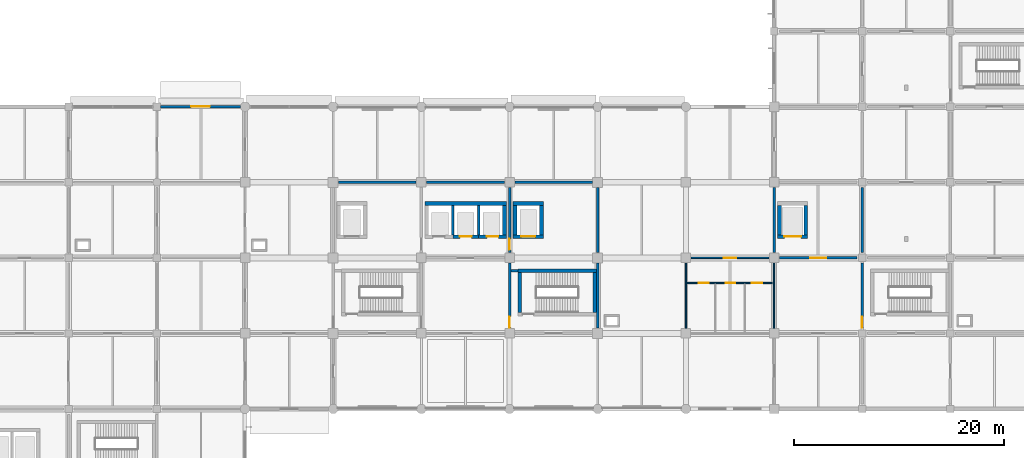
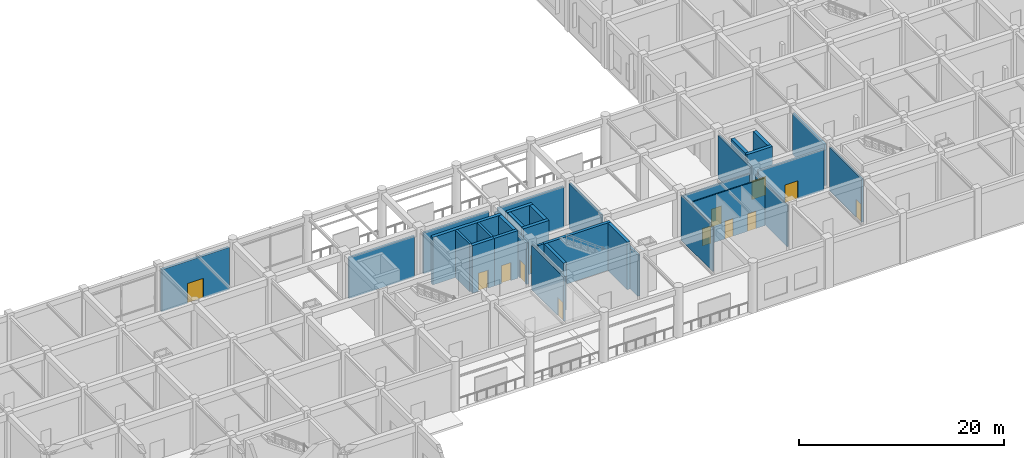
# One storey, part 21 of 39: 33 walls, 13 doors, 13 openings.
"""IFC4 building model written with IfcOpenShell, lengths in metres."""

from ifc_helpers import new_model, si_unit, derived_unit, direction, frame, frame_2d, origin, place, context, subcontext, project, spatial, rectangle, extrude, material, layer, layer_set, type_object, element, fill, save


model = new_model("IFC4")

# Units and contexts
model_context = context("Model", 3, precision=1e-05, world=origin(), true_north=direction((0.0, 1.0)))
body_context = subcontext(model_context, "Body", "Model", "MODEL_VIEW")
ifc_project = project(units=[si_unit("LENGTHUNIT", "METRE"), si_unit("AREAUNIT", "SQUARE_METRE"), si_unit("VOLUMEUNIT", "CUBIC_METRE"), si_unit("PLANEANGLEUNIT", "RADIAN"), si_unit("MASSUNIT", "GRAM", prefix="KILO"), derived_unit("THERMALTRANSMITTANCEUNIT", [(si_unit("MASSUNIT", "GRAM", prefix="KILO"), 1), (si_unit("TIMEUNIT", "SECOND"), -3), (si_unit("THERMODYNAMICTEMPERATUREUNIT", "KELVIN"), -1)])], contexts=[model_context])

# Site, building, storey
site_placement = place(None, origin())
site = spatial("IfcSite", under=ifc_project, at=site_placement, CompositionType="ELEMENT")
building_placement = place(site_placement, origin())
building = spatial("IfcBuilding", under=site, at=building_placement, Name="Veldstrom Oceanarium and Marine Research Institute", CompositionType="ELEMENT")
storey_placement = place(building_placement, origin())
storey = spatial("IfcBuildingStorey", under=building, at=storey_placement, Name="L00", CompositionType="ELEMENT", Elevation=0.0)

# Wall, opening, door
ifc_material_1 = material(Name="Masonry Cavity Wall", Category="masonry")
ifc_layer_1 = layer(ifc_material_1, 0.25)
ifc_layer_set_1 = layer_set([ifc_layer_1], Name="ARC-WAL-EW5")
wall_type_1 = type_object("IfcWallType", Name="ARC-WAL-EW5", PredefinedType="SOLIDWALL", material=ifc_layer_set_1)
wall_1_placement = place(storey_placement, frame((59.14990234375, 72.0, 0.0), z_axis=(0.0, 0.0, 1.0), x_axis=(1.0, 0.0, 0.0)))
wall_1 = element("IfcWall", 1, at=wall_1_placement, inside=storey, type_object=wall_type_1, Name="Exterior Facade Wall EW5 L00-031", PredefinedType="SOLIDWALL", context=body_context, shape_type="SweptSolid", body=[
    extrude(rectangle(XDim=7.60009765625, YDim=0.25, at=frame_2d((3.800048828125, 0.0))), origin(), (0.0, 0.0, 1.0), 5.02001953125),
])
opening_1_placement = place(wall_1_placement, frame((2.89990234375, 0.0, 0.0)))
opening_1 = element("IfcOpeningElement", 2, at=opening_1_placement, cuts=wall_1, Name="Opening D-L00-012", PredefinedType="OPENING", context=body_context, shape_type="SweptSolid", body=[
    extrude(rectangle(XDim=1.800048828125, YDim=2.35009765625, at=frame_2d((0.89990234375, 1.175048828125))), frame((0.0, 0.135009765625, 0.0), z_axis=(0.0, -1.0, 0.0), x_axis=(1.0, 0.0, 0.0)), (0.0, 0.0, 1.0), 0.27001953125),
])
ifc_material_2 = material(Name="Anodised Aluminium Glazed Door", Category="aluminium")
door_type_1 = type_object("IfcDoorType", Name="ARC-DOR-ED2", OperationType="DOUBLE_DOOR_SINGLE_SWING", PredefinedType="DOOR", material=ifc_material_2)
door_1_placement = place(opening_1_placement, origin())
door_1 = element("IfcDoor", 3, at=door_1_placement, inside=storey, type_object=door_type_1, Name="Street Entrance / Exit Door D-L00-012", OperationType="DOUBLE_DOOR_SINGLE_SWING", OverallHeight=2.35009765625, OverallWidth=1.800048828125, PredefinedType="DOOR", context=body_context, shape_type="SweptSolid", body=[
    extrude(rectangle(XDim=1.800048828125, YDim=2.35009765625, at=frame_2d((0.89990234375, 1.175048828125))), frame((0.0, 0.02490234375, 0.0), z_axis=(0.0, -1.0, 0.0), x_axis=(1.0, 0.0, 0.0)), (0.0, 0.0, 1.0), 0.050048828125),
])
fill(opening_1, door_1)

# Wall
ifc_material_3 = material(Name="Masonry Fire Compartment Wall", Category="masonry")
ifc_layer_2 = layer(ifc_material_3, 0.22998046875)
ifc_layer_set_2 = layer_set([ifc_layer_2], Name="ARC-WAL-PT1")
wall_type_2 = type_object("IfcWallType", Name="ARC-WAL-PT1", PredefinedType="PARTITIONING", material=ifc_layer_set_2)
wall_2_placement = place(storey_placement, frame((76.10009765625, 64.800048828125, 0.0), z_axis=(0.0, 0.0, 1.0), x_axis=(1.0, 0.0, 0.0)))
element("IfcWall", 4, at=wall_2_placement, inside=storey, type_object=wall_type_2, Name="Interior Partition PT1 L00-0706", PredefinedType="PARTITIONING", context=body_context, shape_type="SweptSolid", body=[
    extrude(rectangle(XDim=7.39990234375, YDim=0.22998046875, at=frame_2d((3.699951171875, 0.0))), origin(), (0.0, 0.0, 1.0), 4.8701171875),
])

# Wall, opening, door
wall_3_placement = place(storey_placement, frame((92.39990234375, 50.89990234375, 0.0), z_axis=(0.0, 0.0, 1.0), x_axis=(0.0, 1.0, 0.0)))
wall_3 = element("IfcWall", 5, at=wall_3_placement, inside=storey, type_object=wall_type_2, Name="Interior Partition PT1 L00-0708", PredefinedType="PARTITIONING", context=body_context, shape_type="SweptSolid", body=[
    extrude(rectangle(XDim=6.2001953125, YDim=0.22998046875, at=frame_2d((3.10009765625, 0.0))), origin(), (0.0, 0.0, 1.0), 5.27001953125),
])
opening_2_placement = place(wall_3_placement, frame((0.050048828125, 0.0, 0.0)))
opening_2 = element("IfcOpeningElement", 6, at=opening_2_placement, cuts=wall_3, Name="Opening D-L00-412", PredefinedType="OPENING", context=body_context, shape_type="SweptSolid", body=[
    extrude(rectangle(XDim=1.050048828125, YDim=2.14990234375, at=frame_2d((0.52490234375, 1.074951171875))), frame((0.0, 0.125, 0.0), z_axis=(0.0, -1.0, 0.0), x_axis=(1.0, 0.0, 0.0)), (0.0, 0.0, 1.0), 0.25),
])
ifc_material_4 = material(Name="Painted Steel Fire Door", Category="steel")
door_type_2 = type_object("IfcDoorType", Name="ARC-DOR-SD1", OperationType="SINGLE_SWING_LEFT", PredefinedType="DOOR", material=ifc_material_4)
door_2_placement = place(opening_2_placement, origin())
door_2 = element("IfcDoor", 7, at=door_2_placement, inside=storey, type_object=door_type_2, Name="Interior Door D-L00-412", OperationType="SINGLE_SWING_LEFT", OverallHeight=2.14990234375, OverallWidth=1.050048828125, PredefinedType="DOOR", context=body_context, shape_type="SweptSolid", body=[
    extrude(rectangle(XDim=1.050048828125, YDim=2.14990234375, at=frame_2d((0.52490234375, 1.074951171875))), frame((0.0, 0.02490234375, 0.0), z_axis=(0.0, -1.0, 0.0), x_axis=(1.0, 0.0, 0.0)), (0.0, 0.0, 1.0), 0.050048828125),
])
fill(opening_2, door_2)

wall_4_placement = place(storey_placement, frame((92.39990234375, 58.10009765625, 0.0), z_axis=(0.0, 0.0, 1.0), x_axis=(0.0, 1.0, 0.0)))
wall_4 = element("IfcWall", 8, at=wall_4_placement, inside=storey, type_object=wall_type_2, Name="Interior Partition PT1 L00-0710", PredefinedType="PARTITIONING", context=body_context, shape_type="SweptSolid", body=[
    extrude(rectangle(XDim=6.199951171875, YDim=0.22998046875, at=frame_2d((3.10009765625, 0.0))), origin(), (0.0, 0.0, 1.0), 4.919921875),
])
opening_3_placement = place(wall_4_placement, frame((0.25, 0.0, 0.0)))
opening_3 = element("IfcOpeningElement", 9, at=opening_3_placement, cuts=wall_4, Name="Opening D-L00-414", PredefinedType="OPENING", context=body_context, shape_type="SweptSolid", body=[
    extrude(rectangle(XDim=1.050048828125, YDim=2.14990234375, at=frame_2d((0.52490234375, 1.074951171875))), frame((0.0, 0.125, 0.0), z_axis=(0.0, -1.0, 0.0), x_axis=(1.0, 0.0, 0.0)), (0.0, 0.0, 1.0), 0.25),
])
door_3_placement = place(opening_3_placement, origin())
door_3 = element("IfcDoor", 10, at=door_3_placement, inside=storey, type_object=door_type_2, Name="Interior Door D-L00-414", OperationType="SINGLE_SWING_LEFT", OverallHeight=2.14990234375, OverallWidth=1.050048828125, PredefinedType="DOOR", context=body_context, shape_type="SweptSolid", body=[
    extrude(rectangle(XDim=1.050048828125, YDim=2.14990234375, at=frame_2d((0.52490234375, 1.074951171875))), frame((0.0, 0.02490234375, 0.0), z_axis=(0.0, -1.0, 0.0), x_axis=(1.0, 0.0, 0.0)), (0.0, 0.0, 1.0), 0.050048828125),
])
fill(opening_3, door_3)

# Walls
wall_5_placement = place(storey_placement, frame((84.5, 64.800048828125, 0.0), z_axis=(0.0, 0.0, 1.0), x_axis=(1.0, 0.0, 0.0)))
element("IfcWall", 11, at=wall_5_placement, inside=storey, type_object=wall_type_2, Name="Interior Partition PT1 L00-0711", PredefinedType="PARTITIONING", context=body_context, shape_type="SweptSolid", body=[
    extrude(rectangle(XDim=7.39990234375, YDim=0.22998046875, at=frame_2d((3.699951171875, 0.0))), origin(), (0.0, 0.0, 1.0), 4.8701171875),
])
wall_6_placement = place(storey_placement, frame((100.800048828125, 50.89990234375, 0.0), z_axis=(0.0, 0.0, 1.0), x_axis=(0.0, 1.0, 0.0)))
element("IfcWall", 12, at=wall_6_placement, inside=storey, type_object=wall_type_2, Name="Interior Partition PT1 L00-0713", PredefinedType="PARTITIONING", context=body_context, shape_type="SweptSolid", body=[
    extrude(rectangle(XDim=6.2001953125, YDim=0.22998046875, at=frame_2d((3.10009765625, 0.0))), origin(), (0.0, 0.0, 1.0), 4.919921875),
])
wall_7_placement = place(storey_placement, frame((92.52001953125, 56.360107421875, 0.0), z_axis=(0.0, 0.0, 1.0), x_axis=(1.0, 0.0, 0.0)))
element("IfcWall", 13, at=wall_7_placement, inside=storey, type_object=wall_type_2, Name="Interior Partition PT1 L00-0714", PredefinedType="PARTITIONING", context=body_context, shape_type="SweptSolid", body=[
    extrude(rectangle(XDim=0.679931640625, YDim=0.22998046875, at=frame_2d((0.33984375, 0.0))), origin(), (0.0, 0.0, 1.0), 5.675048828125),
])
wall_8_placement = place(storey_placement, frame((100.800048828125, 58.10009765625, 0.0), z_axis=(0.0, 0.0, 1.0), x_axis=(0.0, 1.0, 0.0)))
element("IfcWall", 14, at=wall_8_placement, inside=storey, type_object=wall_type_2, Name="Interior Partition PT1 L00-0715", PredefinedType="PARTITIONING", context=body_context, shape_type="SweptSolid", body=[
    extrude(rectangle(XDim=6.199951171875, YDim=0.22998046875, at=frame_2d((3.10009765625, 0.0))), origin(), (0.0, 0.0, 1.0), 5.3798828125),
])
wall_9_placement = place(storey_placement, frame((92.89990234375, 64.800048828125, 0.0), z_axis=(0.0, 0.0, 1.0), x_axis=(1.0, 0.0, 0.0)))
element("IfcWall", 15, at=wall_9_placement, inside=storey, type_object=wall_type_2, Name="Interior Partition PT1 L00-0716", PredefinedType="PARTITIONING", context=body_context, shape_type="SweptSolid", body=[
    extrude(rectangle(XDim=7.400146484375, YDim=0.22998046875, at=frame_2d((3.7001953125, 0.0))), origin(), (0.0, 0.0, 1.0), 4.8701171875),
])
wall_10_placement = place(storey_placement, frame((117.60009765625, 58.10009765625, 0.0), z_axis=(0.0, 0.0, 1.0), x_axis=(0.0, 1.0, 0.0)))
element("IfcWall", 16, at=wall_10_placement, inside=storey, type_object=wall_type_2, Name="Interior Partition PT1 L00-0722", PredefinedType="PARTITIONING", context=body_context, shape_type="SweptSolid", body=[
    extrude(rectangle(XDim=6.199951171875, YDim=0.22998046875, at=frame_2d((3.10009765625, 0.0))), origin(), (0.0, 0.0, 1.0), 5.169921875),
])

# Wall, opening, door
wall_11_placement = place(storey_placement, frame((126.0, 50.89990234375, 0.0), z_axis=(0.0, 0.0, 1.0), x_axis=(0.0, 1.0, 0.0)))
wall_11 = element("IfcWall", 17, at=wall_11_placement, inside=storey, type_object=wall_type_2, Name="Interior Partition PT1 L00-0726", PredefinedType="PARTITIONING", context=body_context, shape_type="SweptSolid", body=[
    extrude(rectangle(XDim=6.2001953125, YDim=0.22998046875, at=frame_2d((3.10009765625, 0.0))), origin(), (0.0, 0.0, 1.0), 5.169921875),
])
opening_4_placement = place(wall_11_placement, frame((0.050048828125, 0.0, 0.0)))
opening_4 = element("IfcOpeningElement", 18, at=opening_4_placement, cuts=wall_11, Name="Opening D-L00-420", PredefinedType="OPENING", context=body_context, shape_type="SweptSolid", body=[
    extrude(rectangle(XDim=1.050048828125, YDim=2.14990234375, at=frame_2d((0.52490234375, 1.074951171875))), frame((0.0, 0.125, 0.0), z_axis=(0.0, -1.0, 0.0), x_axis=(1.0, 0.0, 0.0)), (0.0, 0.0, 1.0), 0.25),
])
door_4_placement = place(opening_4_placement, origin())
door_4 = element("IfcDoor", 19, at=door_4_placement, inside=storey, type_object=door_type_2, Name="Interior Door D-L00-420", OperationType="SINGLE_SWING_LEFT", OverallHeight=2.14990234375, OverallWidth=1.050048828125, PredefinedType="DOOR", context=body_context, shape_type="SweptSolid", body=[
    extrude(rectangle(XDim=1.050048828125, YDim=2.14990234375, at=frame_2d((0.52490234375, 1.074951171875))), frame((0.0, 0.02490234375, 0.0), z_axis=(0.0, -1.0, 0.0), x_axis=(1.0, 0.0, 0.0)), (0.0, 0.0, 1.0), 0.050048828125),
])
fill(opening_4, door_4)

wall_12_placement = place(storey_placement, frame((118.10009765625, 57.60009765625, 0.0), z_axis=(0.0, 0.0, 1.0), x_axis=(1.0, 0.0, 0.0)))
wall_12 = element("IfcWall", 20, at=wall_12_placement, inside=storey, type_object=wall_type_2, Name="Interior Partition PT1 L00-0727", PredefinedType="PARTITIONING", context=body_context, shape_type="SweptSolid", body=[
    extrude(rectangle(XDim=7.39990234375, YDim=0.22998046875, at=frame_2d((3.699951171875, 0.0))), origin(), (0.0, 0.0, 1.0), 4.8701171875),
])
opening_5_placement = place(wall_12_placement, frame((2.949951171875, 0.0, 0.0)))
opening_5 = element("IfcOpeningElement", 21, at=opening_5_placement, cuts=wall_12, Name="Opening D-L00-421", PredefinedType="OPENING", context=body_context, shape_type="SweptSolid", body=[
    extrude(rectangle(XDim=1.5, YDim=2.14990234375, at=frame_2d((0.75, 1.074951171875))), frame((0.0, 0.125, 0.0), z_axis=(0.0, -1.0, 0.0), x_axis=(1.0, 0.0, 0.0)), (0.0, 0.0, 1.0), 0.25),
])
ifc_material_5 = material(Name="Painted Steel Lobby Fire Door", Category="steel")
door_type_3 = type_object("IfcDoorType", Name="ARC-DOR-SD2", OperationType="DOUBLE_DOOR_SINGLE_SWING", PredefinedType="DOOR", material=ifc_material_5)
door_5_placement = place(opening_5_placement, frame((1.5, 0.0, 0.0), z_axis=(0.0, 0.0, 1.0), x_axis=(-1.0, 0.0, 0.0)))
door_5 = element("IfcDoor", 22, at=door_5_placement, inside=storey, type_object=door_type_3, Name="Interior Door D-L00-421", OperationType="DOUBLE_DOOR_SINGLE_SWING", OverallHeight=2.14990234375, OverallWidth=1.5, PredefinedType="DOOR", context=body_context, shape_type="SweptSolid", body=[
    extrude(rectangle(XDim=1.5, YDim=2.14990234375, at=frame_2d((0.75, 1.074951171875))), frame((0.0, 0.02490234375, 0.0), z_axis=(0.0, -1.0, 0.0), x_axis=(1.0, 0.0, 0.0)), (0.0, 0.0, 1.0), 0.050048828125),
])
fill(opening_5, door_5)

# Wall
wall_13_placement = place(storey_placement, frame((126.0, 58.10009765625, 0.0), z_axis=(0.0, 0.0, 1.0), x_axis=(0.0, 1.0, 0.0)))
element("IfcWall", 23, at=wall_13_placement, inside=storey, type_object=wall_type_2, Name="Interior Partition PT1 L00-0728", PredefinedType="PARTITIONING", context=body_context, shape_type="SweptSolid", body=[
    extrude(rectangle(XDim=6.199951171875, YDim=0.22998046875, at=frame_2d((3.10009765625, 0.0))), origin(), (0.0, 0.0, 1.0), 4.919921875),
])

# Wall, opening, door
ifc_material_6 = material(Name="Drywall Corridor Partition", Category="gypsum")
ifc_layer_3 = layer(ifc_material_6, 0.155029296875)
ifc_layer_set_3 = layer_set([ifc_layer_3], Name="ARC-WAL-PT4")
wall_type_3 = type_object("IfcWallType", Name="ARC-WAL-PT4", PredefinedType="PARTITIONING", material=ifc_layer_set_3)
wall_14_placement = place(storey_placement, frame((109.699951171875, 57.60009765625, 0.0), z_axis=(0.0, 0.0, 1.0), x_axis=(1.0, 0.0, 0.0)))
wall_14 = element("IfcWall", 24, at=wall_14_placement, inside=storey, type_object=wall_type_3, Name="Interior Partition PT4 L00-0721", PredefinedType="PARTITIONING", context=body_context, shape_type="SweptSolid", body=[
    extrude(rectangle(XDim=7.400146484375, YDim=0.155029296875, at=frame_2d((3.7001953125, 0.0))), origin(), (0.0, 0.0, 1.0), 4.8701171875),
])
opening_6_placement = place(wall_14_placement, frame((3.125, 0.0, 0.0)))
opening_6 = element("IfcOpeningElement", 25, at=opening_6_placement, cuts=wall_14, Name="Opening D-L00-417", PredefinedType="OPENING", context=body_context, shape_type="SweptSolid", body=[
    extrude(rectangle(XDim=1.14990234375, YDim=2.10009765625, at=frame_2d((0.574951171875, 1.050048828125))), frame((0.0, 0.08740234375, 0.0), z_axis=(0.0, -1.0, 0.0), x_axis=(1.0, 0.0, 0.0)), (0.0, 0.0, 1.0), 0.175048828125),
])
ifc_material_7 = material(Name="Fellows Studio Door", Category="timber")
door_type_4 = type_object("IfcDoorType", Name="ARC-DOR-ID17", OperationType="SINGLE_SWING_LEFT", PredefinedType="DOOR", material=ifc_material_7)
door_6_placement = place(opening_6_placement, origin())
door_6 = element("IfcDoor", 26, at=door_6_placement, inside=storey, type_object=door_type_4, Name="Interior Door D-L00-417", OperationType="SINGLE_SWING_LEFT", OverallHeight=2.10009765625, OverallWidth=1.14990234375, PredefinedType="DOOR", context=body_context, shape_type="SweptSolid", body=[
    extrude(rectangle(XDim=1.14990234375, YDim=2.10009765625, at=frame_2d((0.574951171875, 1.050048828125))), frame((0.0, 0.02490234375, 0.0), z_axis=(0.0, -1.0, 0.0), x_axis=(1.0, 0.0, 0.0)), (0.0, 0.0, 1.0), 0.050048828125),
])
fill(opening_6, door_6)

# Wall, openings, doors
ifc_material_8 = material(Name="Lightweight Studio Partition", Category="gypsum")
ifc_layer_4 = layer(ifc_material_8, 0.1201171875)
ifc_layer_set_4 = layer_set([ifc_layer_4], Name="ARC-WAL-PT6")
wall_type_4 = type_object("IfcWallType", Name="ARC-WAL-PT6", PredefinedType="PARTITIONING", material=ifc_layer_set_4)
wall_15_placement = place(storey_placement, frame((109.35009765625, 55.199951171875, 0.0), z_axis=(0.0, 0.0, 1.0), x_axis=(1.0, 0.0, 0.0)))
wall_15 = element("IfcWall", 27, at=wall_15_placement, inside=storey, type_object=wall_type_4, Name="Sanitary Vestibule Partition L00-13", PredefinedType="PARTITIONING", context=body_context, shape_type="SweptSolid", body=[
    extrude(rectangle(XDim=8.099853515625, YDim=0.1201171875, at=frame_2d((4.0498046875, 0.0))), origin(), (0.0, 0.0, 1.0), 5.675048828125),
])
opening_7_placement = place(wall_15_placement, frame((1.080078125, 0.0, 0.0)))
opening_7 = element("IfcOpeningElement", 28, at=opening_7_placement, cuts=wall_15, Name="Opening D-L00-WC328", PredefinedType="OPENING", context=body_context, shape_type="SweptSolid", body=[
    extrude(rectangle(XDim=0.949951171875, YDim=2.10009765625, at=frame_2d((0.47509765625, 1.050048828125))), frame((0.0, 0.070068359375, 0.0), z_axis=(0.0, -1.0, 0.0), x_axis=(1.0, 0.0, 0.0)), (0.0, 0.0, 1.0), 0.14013671875),
])
opening_8_placement = place(wall_15_placement, frame((3.6298828125, 0.0, 0.0)))
opening_8 = element("IfcOpeningElement", 29, at=opening_8_placement, cuts=wall_15, Name="Opening D-L00-WC329", PredefinedType="OPENING", context=body_context, shape_type="SweptSolid", body=[
    extrude(rectangle(XDim=0.89990234375, YDim=2.10009765625, at=frame_2d((0.449951171875, 1.050048828125))), frame((0.0, 0.070068359375, 0.0), z_axis=(0.0, -1.0, 0.0), x_axis=(1.0, 0.0, 0.0)), (0.0, 0.0, 1.0), 0.14013671875),
])
opening_9_placement = place(wall_15_placement, frame((6.1298828125, 0.0, 0.0)))
opening_9 = element("IfcOpeningElement", 30, at=opening_9_placement, cuts=wall_15, Name="Opening D-L00-WC330", PredefinedType="OPENING", context=body_context, shape_type="SweptSolid", body=[
    extrude(rectangle(XDim=1.0, YDim=2.10009765625, at=frame_2d((0.5, 1.050048828125))), frame((0.0, 0.070068359375, 0.0), z_axis=(0.0, -1.0, 0.0), x_axis=(1.0, 0.0, 0.0)), (0.0, 0.0, 1.0), 0.14013671875),
])
ifc_material_9 = material(Name="Accessible Sanitary Door", Category="timber")
door_type_5 = type_object("IfcDoorType", Name="ARC-DOR-ID08", OperationType="SINGLE_SWING_RIGHT", PredefinedType="DOOR", material=ifc_material_9)
door_7_placement = place(opening_9_placement, frame((1.0, 0.0, 0.0), z_axis=(0.0, 0.0, 1.0), x_axis=(-1.0, 0.0, 0.0)))
door_7 = element("IfcDoor", 31, at=door_7_placement, inside=storey, type_object=door_type_5, Name="Accessible WC Door D-L00-WC330", OperationType="SINGLE_SWING_RIGHT", OverallHeight=2.10009765625, OverallWidth=1.0, PredefinedType="DOOR", context=body_context, shape_type="SweptSolid", body=[
    extrude(rectangle(XDim=1.0, YDim=2.10009765625, at=frame_2d((0.5, 1.050048828125))), frame((0.0, 0.02490234375, 0.0), z_axis=(0.0, -1.0, 0.0), x_axis=(1.0, 0.0, 0.0)), (0.0, 0.0, 1.0), 0.050048828125),
])
fill(opening_9, door_7)
ifc_material_10 = material(Name="Staff Sanitary Door", Category="timber")
door_type_6 = type_object("IfcDoorType", Name="ARC-DOR-ID09", OperationType="SINGLE_SWING_LEFT", PredefinedType="DOOR", material=ifc_material_10)
door_8_placement = place(opening_7_placement, frame((0.949951171875, 0.0, 0.0), z_axis=(0.0, 0.0, 1.0), x_axis=(-1.0, 0.0, 0.0)))
door_8 = element("IfcDoor", 32, at=door_8_placement, inside=storey, type_object=door_type_6, Name="Male WC Door D-L00-WC328", OperationType="SINGLE_SWING_RIGHT", OverallHeight=2.10009765625, OverallWidth=0.949951171875, PredefinedType="DOOR", context=body_context, shape_type="SweptSolid", body=[
    extrude(rectangle(XDim=0.949951171875, YDim=2.10009765625, at=frame_2d((0.47509765625, 1.050048828125))), frame((0.0, 0.02490234375, 0.0), z_axis=(0.0, -1.0, 0.0), x_axis=(1.0, 0.0, 0.0)), (0.0, 0.0, 1.0), 0.050048828125),
])
fill(opening_7, door_8)
ifc_material_11 = material(Name="Internal Sanitary Door", Category="timber")
door_type_7 = type_object("IfcDoorType", Name="ARC-DOR-ID10", OperationType="SINGLE_SWING_RIGHT", PredefinedType="DOOR", material=ifc_material_11)
door_9_placement = place(opening_8_placement, frame((0.89990234375, 0.0, 0.0), z_axis=(0.0, 0.0, 1.0), x_axis=(-1.0, 0.0, 0.0)))
door_9 = element("IfcDoor", 33, at=door_9_placement, inside=storey, type_object=door_type_7, Name="Female WC Door D-L00-WC329", OperationType="SINGLE_SWING_LEFT", OverallHeight=2.10009765625, OverallWidth=0.89990234375, PredefinedType="DOOR", context=body_context, shape_type="SweptSolid", body=[
    extrude(rectangle(XDim=0.89990234375, YDim=2.10009765625, at=frame_2d((0.449951171875, 1.050048828125))), frame((0.0, 0.02490234375, 0.0), z_axis=(0.0, -1.0, 0.0), x_axis=(1.0, 0.0, 0.0)), (0.0, 0.0, 1.0), 0.050048828125),
])
fill(opening_8, door_9)

# Walls
wall_16_placement = place(storey_placement, frame((109.199951171875, 50.89990234375, 0.0), z_axis=(0.0, 0.0, 1.0), x_axis=(0.0, 1.0, 0.0)))
element("IfcWall", 34, at=wall_16_placement, inside=storey, type_object=wall_type_4, Name="Interior Partition PT6 L00-0717", PredefinedType="PARTITIONING", context=body_context, shape_type="SweptSolid", body=[
    extrude(rectangle(XDim=6.2001953125, YDim=0.1201171875, at=frame_2d((3.10009765625, 0.0))), origin(), (0.0, 0.0, 1.0), 5.3798828125),
])
wall_17_placement = place(storey_placement, frame((117.60009765625, 50.89990234375, 0.0), z_axis=(0.0, 0.0, 1.0), x_axis=(0.0, 1.0, 0.0)))
element("IfcWall", 35, at=wall_17_placement, inside=storey, type_object=wall_type_4, Name="Interior Partition PT6 L00-0720", PredefinedType="PARTITIONING", context=body_context, shape_type="SweptSolid", body=[
    extrude(rectangle(XDim=6.2001953125, YDim=0.1201171875, at=frame_2d((3.10009765625, 0.0))), origin(), (0.0, 0.0, 1.0), 4.919921875),
])
ifc_material_12 = material(Name="Concrete C40/50", Category="concrete")
ifc_layer_5 = layer(ifc_material_12, 0.360107421875)
ifc_layer_set_5 = layer_set([ifc_layer_5], Name="STR-WAL-WC2")
wall_type_5 = type_object("IfcWallType", Name="STR-WAL-WC2", PredefinedType="SHEAR", material=ifc_layer_set_5)
wall_18_placement = place(storey_placement, frame((84.340087890625, 62.780029296875, 0.0), z_axis=(0.0, 0.0, 1.0), x_axis=(1.0, 0.0, 0.0)))
element("IfcWall", 36, at=wall_18_placement, inside=storey, type_object=wall_type_5, Name="Lift Shaft Shear Wall N L00 10/8", PredefinedType="SHEAR", context=body_context, shape_type="SweptSolid", body=[
    extrude(rectangle(XDim=7.77001953125, YDim=0.360107421875, at=frame_2d((3.885009765625, 0.0))), origin(), (0.0, 0.0, 1.0), 5.675048828125),
])

# Wall, opening, door
wall_19_placement = place(storey_placement, frame((87.0, 59.6201171875, 0.0), z_axis=(0.0, 0.0, 1.0), x_axis=(1.0, 0.0, 0.0)))
wall_19 = element("IfcWall", 37, at=wall_19_placement, inside=storey, type_object=wall_type_5, Name="Lift Shaft Front Shear Wall LP2 L00", PredefinedType="SHEAR", context=body_context, shape_type="SweptSolid", body=[
    extrude(rectangle(XDim=2.449951171875, YDim=0.360107421875, at=frame_2d((1.22509765625, 0.0))), origin(), (0.0, 0.0, 1.0), 5.675048828125),
])
opening_10_placement = place(wall_19_placement, frame((0.675048828125, 0.0, 0.0)))
opening_10 = element("IfcOpeningElement", 38, at=opening_10_placement, cuts=wall_19, Name="Opening LD-LP2-L00", PredefinedType="OPENING", context=body_context, shape_type="SweptSolid", body=[
    extrude(rectangle(XDim=1.10009765625, YDim=2.14990234375, at=frame_2d((0.550048828125, 1.074951171875))), frame((0.0, 0.18994140625, 0.0), z_axis=(0.0, -1.0, 0.0), x_axis=(1.0, 0.0, 0.0)), (0.0, 0.0, 1.0), 0.380126953125),
])
ifc_material_13 = material(Name="Stainless Steel Lift Landing Door", Category="steel")
door_type_8 = type_object("IfcDoorType", Name="ARC-DOR-LD1", OperationType="DOUBLE_DOOR_SLIDING", PredefinedType="DOOR", material=ifc_material_13)
door_10_placement = place(opening_10_placement, origin())
door_10 = element("IfcDoor", 39, at=door_10_placement, inside=storey, type_object=door_type_8, Name="Lift Landing Door LD-LP2-L00", OperationType="DOUBLE_DOOR_SLIDING", OverallHeight=2.14990234375, OverallWidth=1.10009765625, PredefinedType="DOOR", context=body_context, shape_type="SweptSolid", body=[
    extrude(rectangle(XDim=1.10009765625, YDim=2.14990234375, at=frame_2d((0.550048828125, 1.074951171875))), frame((0.0, 0.02490234375, 0.0), z_axis=(0.0, -1.0, 0.0), x_axis=(1.0, 0.0, 0.0)), (0.0, 0.0, 1.0), 0.050048828125),
])
fill(opening_10, door_10)

wall_20_placement = place(storey_placement, frame((89.449951171875, 59.6201171875, 0.0), z_axis=(0.0, 0.0, 1.0), x_axis=(1.0, 0.0, 0.0)))
wall_20 = element("IfcWall", 40, at=wall_20_placement, inside=storey, type_object=wall_type_5, Name="Lift Shaft Front Shear Wall LP3 L00", PredefinedType="SHEAR", context=body_context, shape_type="SweptSolid", body=[
    extrude(rectangle(XDim=2.66015625, YDim=0.360107421875, at=frame_2d((1.330078125, 0.0))), origin(), (0.0, 0.0, 1.0), 5.675048828125),
])
opening_11_placement = place(wall_20_placement, frame((0.780029296875, 0.0, 0.0)))
opening_11 = element("IfcOpeningElement", 41, at=opening_11_placement, cuts=wall_20, Name="Opening LD-LP3-L00", PredefinedType="OPENING", context=body_context, shape_type="SweptSolid", body=[
    extrude(rectangle(XDim=1.10009765625, YDim=2.14990234375, at=frame_2d((0.550048828125, 1.074951171875))), frame((0.0, 0.18994140625, 0.0), z_axis=(0.0, -1.0, 0.0), x_axis=(1.0, 0.0, 0.0)), (0.0, 0.0, 1.0), 0.380126953125),
])
door_11_placement = place(opening_11_placement, origin())
door_11 = element("IfcDoor", 42, at=door_11_placement, inside=storey, type_object=door_type_8, Name="Lift Landing Door LD-LP3-L00", OperationType="DOUBLE_DOOR_SLIDING", OverallHeight=2.14990234375, OverallWidth=1.10009765625, PredefinedType="DOOR", context=body_context, shape_type="SweptSolid", body=[
    extrude(rectangle(XDim=1.10009765625, YDim=2.14990234375, at=frame_2d((0.550048828125, 1.074951171875))), frame((0.0, 0.02490234375, 0.0), z_axis=(0.0, -1.0, 0.0), x_axis=(1.0, 0.0, 0.0)), (0.0, 0.0, 1.0), 0.050048828125),
])
fill(opening_11, door_11)

# Walls
wall_21_placement = place(storey_placement, frame((91.929931640625, 59.800048828125, 0.0), z_axis=(0.0, 0.0, 1.0), x_axis=(0.0, 1.0, 0.0)))
element("IfcWall", 43, at=wall_21_placement, inside=storey, type_object=wall_type_5, Name="Lift Shaft Shear Wall E L00 10/8", PredefinedType="SHEAR", context=body_context, shape_type="SweptSolid", body=[
    extrude(rectangle(XDim=2.800048828125, YDim=0.360107421875, at=frame_2d((1.39990234375, 0.0))), origin(), (0.0, 0.0, 1.0), 5.675048828125),
])
wall_22_placement = place(storey_placement, frame((92.739990234375, 62.780029296875, 0.0), z_axis=(0.0, 0.0, 1.0), x_axis=(1.0, 0.0, 0.0)))
element("IfcWall", 44, at=wall_22_placement, inside=storey, type_object=wall_type_5, Name="Lift Shaft Shear Wall N L00 11/8", PredefinedType="SHEAR", context=body_context, shape_type="SweptSolid", body=[
    extrude(rectangle(XDim=2.8701171875, YDim=0.360107421875, at=frame_2d((1.43505859375, 0.0))), origin(), (0.0, 0.0, 1.0), 5.675048828125),
])

# Wall, opening, door
wall_23_placement = place(storey_placement, frame((92.739990234375, 59.6201171875, 0.0), z_axis=(0.0, 0.0, 1.0), x_axis=(1.0, 0.0, 0.0)))
wall_23 = element("IfcWall", 45, at=wall_23_placement, inside=storey, type_object=wall_type_5, Name="Lift Shaft Front Shear Wall LF2 L00", PredefinedType="SHEAR", context=body_context, shape_type="SweptSolid", body=[
    extrude(rectangle(XDim=2.8701171875, YDim=0.360107421875, at=frame_2d((1.43505859375, 0.0))), origin(), (0.0, 0.0, 1.0), 5.675048828125),
])
opening_12_placement = place(wall_23_placement, frame((0.760009765625, 0.0, 0.0)))
opening_12 = element("IfcOpeningElement", 46, at=opening_12_placement, cuts=wall_23, Name="Opening LD-LF2-L00", PredefinedType="OPENING", context=body_context, shape_type="SweptSolid", body=[
    extrude(rectangle(XDim=1.35009765625, YDim=2.199951171875, at=frame_2d((0.675048828125, 1.10009765625))), frame((0.0, 0.18994140625, 0.0), z_axis=(0.0, -1.0, 0.0), x_axis=(1.0, 0.0, 0.0)), (0.0, 0.0, 1.0), 0.380126953125),
])
ifc_material_14 = material(Name="Stainless Steel Lift Landing Door", Category="steel")
door_type_9 = type_object("IfcDoorType", Name="ARC-DOR-LD3", OperationType="DOUBLE_DOOR_SLIDING", PredefinedType="DOOR", material=ifc_material_14)
door_12_placement = place(opening_12_placement, origin())
door_12 = element("IfcDoor", 47, at=door_12_placement, inside=storey, type_object=door_type_9, Name="Lift Landing Door LD-LF2-L00", OperationType="DOUBLE_DOOR_SLIDING", OverallHeight=2.199951171875, OverallWidth=1.35009765625, PredefinedType="DOOR", context=body_context, shape_type="SweptSolid", body=[
    extrude(rectangle(XDim=1.35009765625, YDim=2.199951171875, at=frame_2d((0.675048828125, 1.10009765625))), frame((0.0, 0.02490234375, 0.0), z_axis=(0.0, -1.0, 0.0), x_axis=(1.0, 0.0, 0.0)), (0.0, 0.0, 1.0), 0.050048828125),
])
fill(opening_12, door_12)

# Walls
for number, where, z_axis, x_axis, name in (
    (48, (92.919921875, 59.800048828125, 0.0), (0.0, 0.0, 1.0), (0.0, 1.0, 0.0), "Lift Shaft Shear Wall W L00 11/8"),
    (49, (95.429931640625, 59.800048828125, 0.0), (0.0, 0.0, 1.0), (0.0, 1.0, 0.0), "Lift Shaft Shear Wall E L00 11/8"),
):
    element("IfcWall", number, at=place(storey_placement, frame(where, z_axis=z_axis, x_axis=x_axis)), inside=storey, type_object=wall_type_5, Name=name, PredefinedType="SHEAR", context=body_context, shape_type="SweptSolid", body=[
        extrude(rectangle(XDim=2.800048828125, YDim=0.360107421875, at=frame_2d((1.39990234375, 0.0))), origin(), (0.0, 0.0, 1.0), 5.675048828125),
    ])

# Wall, opening, door
wall_24_placement = place(storey_placement, frame((117.93994140625, 59.6201171875, 0.0), z_axis=(0.0, 0.0, 1.0), x_axis=(1.0, 0.0, 0.0)))
wall_24 = element("IfcWall", 50, at=wall_24_placement, inside=storey, type_object=wall_type_5, Name="Lift Shaft Front Shear Wall LG1 L00", PredefinedType="SHEAR", context=body_context, shape_type="SweptSolid", body=[
    extrude(rectangle(XDim=2.8701171875, YDim=0.360107421875, at=frame_2d((1.43505859375, 0.0))), origin(), (0.0, 0.0, 1.0), 5.675048828125),
])
opening_13_placement = place(wall_24_placement, frame((0.635009765625, 0.0, 0.0)))
opening_13 = element("IfcOpeningElement", 51, at=opening_13_placement, cuts=wall_24, Name="Opening LD-LG1-L00", PredefinedType="OPENING", context=body_context, shape_type="SweptSolid", body=[
    extrude(rectangle(XDim=1.60009765625, YDim=2.25, at=frame_2d((0.800048828125, 1.125))), frame((0.0, 0.18994140625, 0.0), z_axis=(0.0, -1.0, 0.0), x_axis=(1.0, 0.0, 0.0)), (0.0, 0.0, 1.0), 0.380126953125),
])
ifc_material_15 = material(Name="Heavy Goods Lift Landing Door", Category="steel")
door_type_10 = type_object("IfcDoorType", Name="ARC-DOR-LD4", OperationType="DOUBLE_DOOR_SLIDING", PredefinedType="DOOR", material=ifc_material_15)
door_13_placement = place(opening_13_placement, origin())
door_13 = element("IfcDoor", 52, at=door_13_placement, inside=storey, type_object=door_type_10, Name="Lift Landing Door LD-LG1-L00", OperationType="DOUBLE_DOOR_SLIDING", OverallHeight=2.25, OverallWidth=1.60009765625, PredefinedType="DOOR", context=body_context, shape_type="SweptSolid", body=[
    extrude(rectangle(XDim=1.60009765625, YDim=2.25, at=frame_2d((0.800048828125, 1.125))), frame((0.0, 0.02490234375, 0.0), z_axis=(0.0, -1.0, 0.0), x_axis=(1.0, 0.0, 0.0)), (0.0, 0.0, 1.0), 0.050048828125),
])
fill(opening_13, door_13)

# Walls
for number, where, z_axis, x_axis, name in (
    (53, (118.1201171875, 59.800048828125, 0.0), (0.0, 0.0, 1.0), (0.0, 1.0, 0.0), "Lift Shaft Shear Wall W L00 14/8"),
    (54, (120.6298828125, 59.800048828125, 0.0), (0.0, 0.0, 1.0), (0.0, 1.0, 0.0), "Lift Shaft Shear Wall E L00 14/8"),
):
    element("IfcWall", number, at=place(storey_placement, frame(where, z_axis=z_axis, x_axis=x_axis)), inside=storey, type_object=wall_type_5, Name=name, PredefinedType="SHEAR", context=body_context, shape_type="SweptSolid", body=[
        extrude(rectangle(XDim=2.800048828125, YDim=0.360107421875, at=frame_2d((1.39990234375, 0.0))), origin(), (0.0, 0.0, 1.0), 5.675048828125),
    ])
ifc_material_16 = material(Name="Concrete C40/50", Category="concrete")
ifc_layer_6 = layer(ifc_material_16, 0.320068359375)
ifc_layer_set_6 = layer_set([ifc_layer_6], Name="STR-WAL-WC3")
wall_type_6 = type_object("IfcWallType", Name="STR-WAL-WC3", PredefinedType="SHEAR", material=ifc_layer_set_6)
wall_25_placement = place(storey_placement, frame((93.199951171875, 56.360107421875, 0.0), z_axis=(0.0, 0.0, 1.0), x_axis=(1.0, 0.0, 0.0)))
element("IfcWall", 55, at=wall_25_placement, inside=storey, type_object=wall_type_6, Name="Stair Core Shear Wall SC2-L00-N", PredefinedType="SHEAR", context=body_context, shape_type="SweptSolid", body=[
    extrude(rectangle(XDim=7.47998046875, YDim=0.320068359375, at=frame_2d((3.739990234375, 0.0))), origin(), (0.0, 0.0, 1.0), 5.675048828125),
])
for number, where, z_axis, x_axis, name in (
    (56, (93.360107421875, 52.39990234375, 0.0), (0.0, 0.0, 1.0), (0.0, 1.0, 0.0), "Stair Core Shear Wall SC2-L00-W"),
    (57, (100.52001953125, 52.39990234375, 0.0), (0.0, 0.0, 1.0), (0.0, 1.0, 0.0), "Stair Core Shear Wall SC2-L00-E"),
):
    element("IfcWall", number, at=place(storey_placement, frame(where, z_axis=z_axis, x_axis=x_axis)), inside=storey, type_object=wall_type_6, Name=name, PredefinedType="SHEAR", context=body_context, shape_type="SweptSolid", body=[
        extrude(rectangle(XDim=3.800048828125, YDim=0.320068359375, at=frame_2d((1.89990234375, 0.0))), origin(), (0.0, 0.0, 1.0), 5.675048828125),
    ])
ifc_material_17 = material(Name="Concrete C40/50", Category="concrete")
ifc_layer_7 = layer(ifc_material_17, 0.239990234375)
ifc_layer_set_7 = layer_set([ifc_layer_7], Name="STR-WAL-WC4")
wall_type_7 = type_object("IfcWallType", Name="STR-WAL-WC4", PredefinedType="SHEAR", material=ifc_layer_set_7)
for number, where, z_axis, x_axis, name in (
    (58, (87.0, 59.800048828125, 0.0), (0.0, 0.0, 1.0), (0.0, 1.0, 0.0), "Lift Shaft Divider Wall L00 10/8-1"),
    (59, (89.449951171875, 59.800048828125, 0.0), (0.0, 0.0, 1.0), (0.0, 1.0, 0.0), "Lift Shaft Divider Wall L00 10/8-2"),
):
    element("IfcWall", number, at=place(storey_placement, frame(where, z_axis=z_axis, x_axis=x_axis)), inside=storey, type_object=wall_type_7, Name=name, PredefinedType="SHEAR", context=body_context, shape_type="SweptSolid", body=[
        extrude(rectangle(XDim=2.800048828125, YDim=0.239990234375, at=frame_2d((1.39990234375, 0.0))), origin(), (0.0, 0.0, 1.0), 5.675048828125),
    ])

save(model, "model.ifc")
